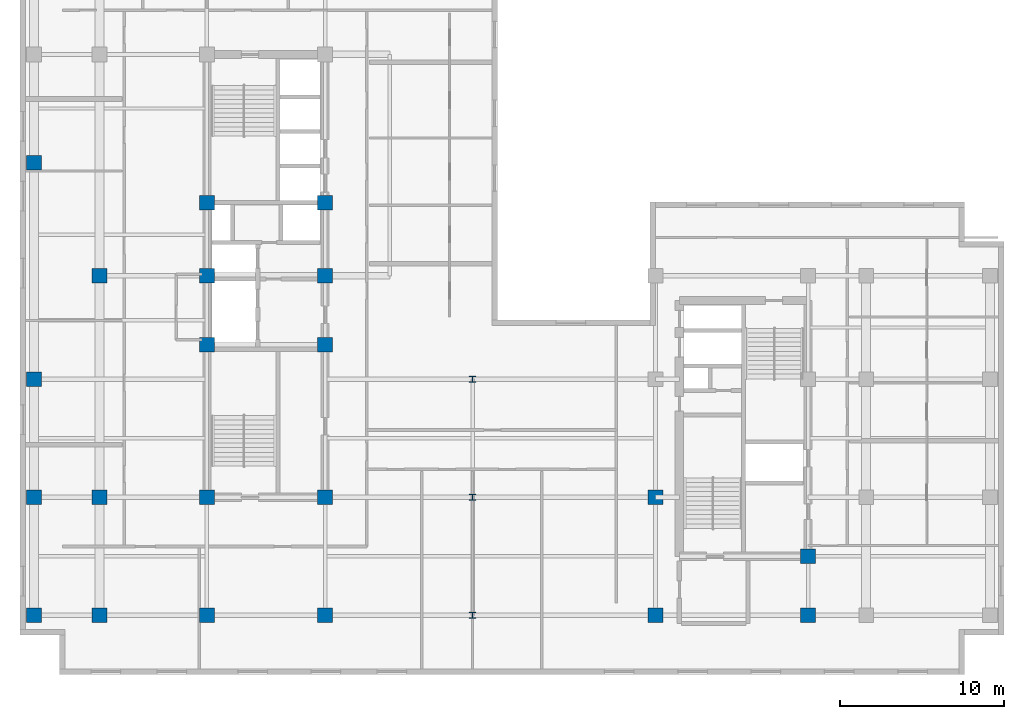
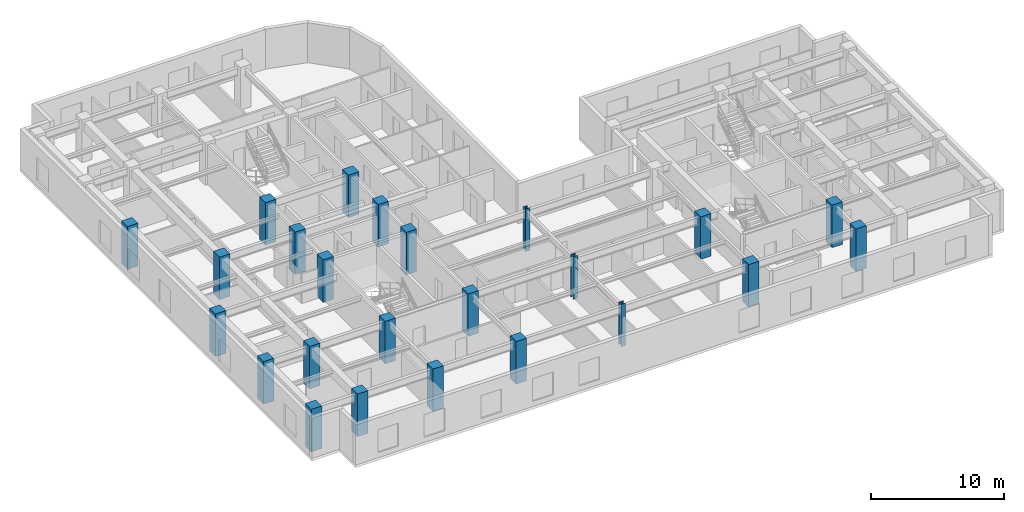
# One storey, part 1 of 11: 24 columns.
"""IFC4 building model written with IfcOpenShell, lengths in metres."""

from ifc_helpers import new_model, entity, si_unit, converted_unit, direction, frame, origin_with_axes, origin_2d_with_axis, place, context, subcontext, project, spatial, rectangle, i_section, extrude, material, material_profile, profile_set, type_object, element, save


model = new_model("IFC4")

# Units and contexts
model_context = context("Model", 3, precision=1e-05, world=origin_with_axes(), true_north=direction((0.0, 1.0)))
body_context = subcontext(model_context, "Body", "Model", "MODEL_VIEW")
ifc_project = project(units=[si_unit("LENGTHUNIT", "METRE"), si_unit("AREAUNIT", "SQUARE_METRE"), si_unit("VOLUMEUNIT", "CUBIC_METRE"), converted_unit("PLANEANGLEUNIT", "DEGREE", entity("IfcPlaneAngleMeasure", 0.017453292519943295), si_unit("PLANEANGLEUNIT", "RADIAN"), dimensions=[0, 0, 0, 0, 0, 0, 0]), si_unit("MASSUNIT", "GRAM", prefix="KILO"), si_unit("THERMODYNAMICTEMPERATUREUNIT", "KELVIN")], contexts=[model_context])

# Site, building, storey
site_placement = place(None, origin_with_axes())
site = spatial("IfcSite", under=ifc_project, at=site_placement, CompositionType="ELEMENT")
building_placement = place(site_placement, origin_with_axes())
building = spatial("IfcBuilding", under=site, at=building_placement, Name="Varnlund Millrace Tower", CompositionType="ELEMENT")
storey_placement = place(building_placement, frame((0.0, 0.0, 200.4), z_axis=(0.0, 0.0, 1.0), x_axis=(1.0, 0.0, 0.0)))
storey = spatial("IfcBuildingStorey", under=building, at=storey_placement, Name="L49", CompositionType="ELEMENT", Elevation=200.4)

# Columns
ifc_material_1 = material(Name="Steel ASTM A992 Grade 50", Category="steel")
ifc_material_profile_1 = material_profile(ifc_material_1, i_section(OverallWidth=0.394, OverallDepth=0.375, WebThickness=0.0173, FlangeThickness=0.0277, FilletRadius=0.02, at=origin_2d_with_axis()), Name="Steel ASTM A992 Grade 50")
ifc_profile_set_1 = profile_set([ifc_material_profile_1], Name="Steel ASTM A992 Grade 50")
column_type_1 = type_object("IfcColumnType", Name="Type-Col-Int-W14X145", PredefinedType="COLUMN", material=ifc_profile_set_1)
for number, where, z_axis, x_axis, name in (
    (1, (27.6, 3.6, 0.0), (0.0, 0.0, 1.0), (1.0, 0.0, 0.0), "Type-Col-Int-W14X145"),
    (2, (27.6, 10.8, 0.0), (0.0, 0.0, 1.0), (1.0, 0.0, 0.0), "Type-Col-Int-W14X145"),
    (3, (27.6, 18.0, 0.0), (0.0, 0.0, 1.0), (1.0, 0.0, 0.0), "Type-Col-Int-W14X145"),
):
    element("IfcColumn", number, at=place(storey_placement, frame(where, z_axis=z_axis, x_axis=x_axis)), inside=storey, type_object=column_type_1, Name=name, PredefinedType="COLUMN", context=body_context, shape_type="SweptSolid", body=[
        extrude(i_section(OverallWidth=0.394, OverallDepth=0.375, WebThickness=0.0173, FlangeThickness=0.0277, FilletRadius=0.02, at=origin_2d_with_axis()), origin_with_axes(), (0.0, 0.0, 1.0), 3.9),
    ])
ifc_material_2 = material(Name="Concrete C70/85", Category="concrete")
ifc_material_profile_2 = material_profile(ifc_material_2, rectangle(XDim=0.9, YDim=0.9, at=origin_2d_with_axis()), Name="Concrete C70/85")
ifc_profile_set_2 = profile_set([ifc_material_profile_2], Name="Concrete C70/85")
column_type_2 = type_object("IfcColumnType", Name="Type-Col-RC900-C70", PredefinedType="COLUMN", material=ifc_profile_set_2)
for number, where, z_axis, x_axis, name in (
    (4, (11.4, 3.6, 0.0), (0.0, 0.0, 1.0), (1.0, 0.0, 0.0), "Type-Col-RC900-C70"),
    (5, (11.4, 10.8, 0.0), (0.0, 0.0, 1.0), (1.0, 0.0, 0.0), "Type-Col-RC900-C70"),
    (6, (11.4, 20.1, 0.0), (0.0, 0.0, 1.0), (1.0, 0.0, 0.0), "Type-Col-RC900-C70"),
    (7, (11.4, 24.3, 0.0), (0.0, 0.0, 1.0), (1.0, 0.0, 0.0), "Type-Col-RC900-C70"),
    (8, (11.4, 28.75, 0.0), (0.0, 0.0, 1.0), (1.0, 0.0, 0.0), "Type-Col-RC900-C70"),
    (9, (18.6, 3.6, 0.0), (0.0, 0.0, 1.0), (1.0, 0.0, 0.0), "Type-Col-RC900-C70"),
    (10, (18.6, 10.8, 0.0), (0.0, 0.0, 1.0), (1.0, 0.0, 0.0), "Type-Col-RC900-C70"),
    (11, (18.6, 20.1, 0.0), (0.0, 0.0, 1.0), (1.0, 0.0, 0.0), "Type-Col-RC900-C70"),
    (12, (18.6, 24.3, 0.0), (0.0, 0.0, 1.0), (1.0, 0.0, 0.0), "Type-Col-RC900-C70"),
    (13, (18.6, 28.75, 0.0), (0.0, 0.0, 1.0), (1.0, 0.0, 0.0), "Type-Col-RC900-C70"),
    (14, (4.85, 3.6, 0.0), (0.0, 0.0, 1.0), (1.0, 0.0, 0.0), "Type-Col-RC900-C70"),
    (15, (4.85, 10.8, 0.0), (0.0, 0.0, 1.0), (1.0, 0.0, 0.0), "Type-Col-RC900-C70"),
    (16, (4.85, 24.3, 0.0), (0.0, 0.0, 1.0), (1.0, 0.0, 0.0), "Type-Col-RC900-C70"),
    (17, (0.85, 3.6, 0.0), (0.0, 0.0, 1.0), (1.0, 0.0, 0.0), "Type-Col-RC900-C70"),
    (18, (0.85, 10.8, 0.0), (0.0, 0.0, 1.0), (1.0, 0.0, 0.0), "Type-Col-RC900-C70"),
    (19, (0.85, 18.0, 0.0), (0.0, 0.0, 1.0), (1.0, 0.0, 0.0), "Type-Col-RC900-C70"),
    (20, (0.85, 31.2, 0.0), (0.0, 0.0, 1.0), (1.0, 0.0, 0.0), "Type-Col-RC900-C70"),
    (21, (38.75, 3.6, 0.0), (0.0, 0.0, 1.0), (1.0, 0.0, 0.0), "Type-Col-RC900-C70"),
    (22, (38.75, 10.8, 0.0), (0.0, 0.0, 1.0), (1.0, 0.0, 0.0), "Type-Col-RC900-C70"),
    (23, (48.05, 3.6, 0.0), (0.0, 0.0, 1.0), (1.0, 0.0, 0.0), "Type-Col-RC900-C70"),
    (24, (48.05, 7.2, 0.0), (0.0, 0.0, 1.0), (1.0, 0.0, 0.0), "Type-Col-RC900-C70"),
):
    element("IfcColumn", number, at=place(storey_placement, frame(where, z_axis=z_axis, x_axis=x_axis)), inside=storey, type_object=column_type_2, Name=name, PredefinedType="COLUMN", context=body_context, shape_type="SweptSolid", body=[
        extrude(rectangle(XDim=0.9, YDim=0.9, at=origin_2d_with_axis()), origin_with_axes(), (0.0, 0.0, 1.0), 3.9),
    ])

save(model, "model.ifc")
